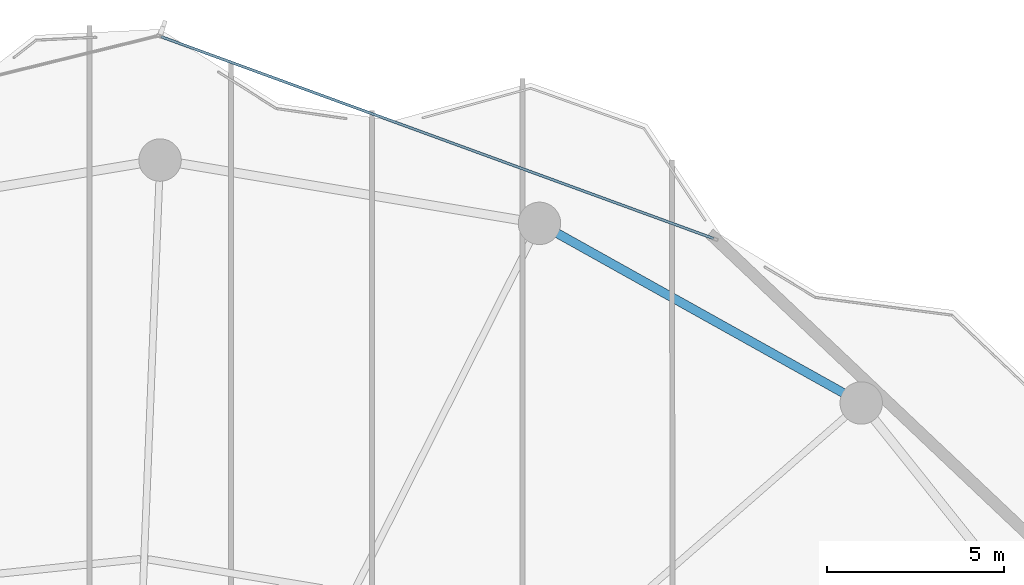
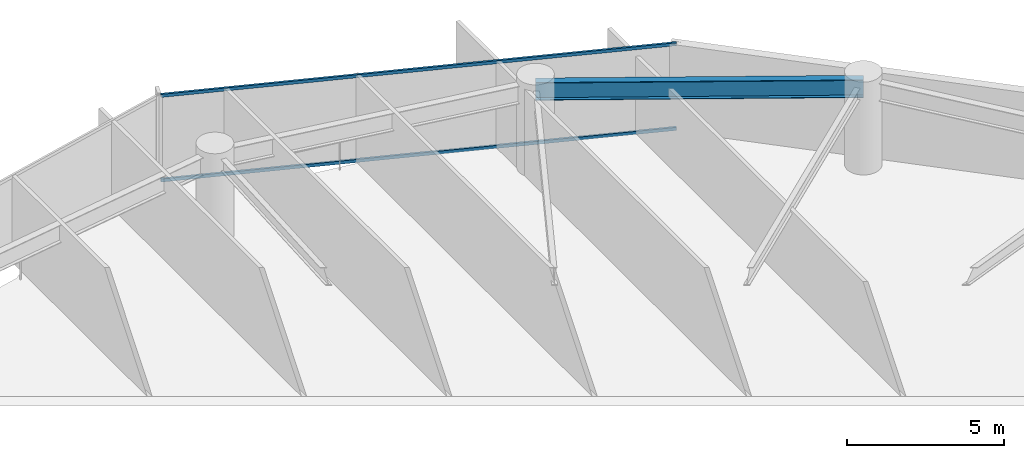
# One storey, part 20 of 28: 2 members, 1 beam, 1 element without a shape of its own.
"""IFC4 building model written with IfcOpenShell, lengths in metres."""

from ifc_helpers import new_model, si_unit, direction, frame, origin, origin_2d, place, context, subcontext, project, spatial, hollow_rectangle, i_section, extrude, material, layer, layer_set, material_profile, profile_set, type_object, element, aggregate, save


model = new_model("IFC4")

# Units and contexts
model_context = context("Model", 3, precision=1e-05, world=origin(), true_north=direction((0.0, 1.0)))
body_context = subcontext(model_context, "Body", "Model", "MODEL_VIEW")
ifc_project = project(units=[si_unit("LENGTHUNIT", "METRE"), si_unit("AREAUNIT", "SQUARE_METRE"), si_unit("VOLUMEUNIT", "CUBIC_METRE"), si_unit("PLANEANGLEUNIT", "RADIAN"), si_unit("MASSUNIT", "GRAM", prefix="KILO")], contexts=[model_context])

# Site, building, storey
site_placement = place(None, origin())
site = spatial("IfcSite", under=ifc_project, at=site_placement, CompositionType="ELEMENT")
building_placement = place(site_placement, origin())
building = spatial("IfcBuilding", under=site, at=building_placement, Name="Kazevale Care Tower and Concert Hall", CompositionType="ELEMENT")
storey_placement = place(building_placement, frame((0.0, 0.0, 142.199951171875)))
storey = spatial("IfcBuildingStorey", under=building, at=storey_placement, Name="L37", CompositionType="ELEMENT", Elevation=142.199951171875)

# Curtain wall, members
ifc_material_1 = material(Name="Aluminium 6063-T6 and Low-E Glass", Category="aluminium")
ifc_layer = layer(ifc_material_1, 0.179931640625)
ifc_layer_set = layer_set([ifc_layer], Name="Aluminium 6063-T6 and Low-E Glass")
curtain_wall_type = type_object("IfcCurtainWallType", Name="Convex Checkerboard Finned Curtain Wall CW-2", PredefinedType="NOTDEFINED", material=ifc_layer_set)
curtain_wall_placement = place(storey_placement, origin())
curtain_wall = element("IfcCurtainWall", 1, at=curtain_wall_placement, inside=storey, type_object=curtain_wall_type, Name="cw:L37:f16", PredefinedType="NOTDEFINED")
ifc_material_2 = material(Name="Aluminium 6063-T6", Category="aluminium")
ifc_material_profile_1 = material_profile(ifc_material_2, hollow_rectangle(XDim=0.074951171875, YDim=0.1201171875, WallThickness=0.00390625, at=origin_2d()), Name="ALU75x120x4")
ifc_profile_set_1 = profile_set([ifc_material_profile_1], Name="Aluminium 6063-T6")
member_type = type_object("IfcMemberType", Name="CW-2 Transom ALU75x120x4", PredefinedType="USERDEFINED", material=ifc_profile_set_1)
member_1_placement = place(storey_placement, frame((45.027099609375, 64.939453125, 0.03759765625), z_axis=(0.939285028824, -0.343137923622, 0.0), x_axis=(0.343137923622, 0.939285028824, 0.0)))
member_1 = element("IfcMember", 2, at=member_1_placement, type_object=member_type, Name="CW-2 transom 1.1", ObjectType="TRANSOM", PredefinedType="USERDEFINED", context=body_context, shape_type="SweptSolid", body=[
    extrude(hollow_rectangle(XDim=0.074951171875, YDim=0.1201171875, WallThickness=0.00390625, at=origin_2d()), origin(), (0.0, 0.0, 1.0), 16.634765625),
])
member_2_placement = place(storey_placement, frame((45.027099609375, 64.939453125, 3.322509765625), z_axis=(0.939285028824, -0.343137923622, 0.0), x_axis=(0.343137923622, 0.939285028824, 0.0)))
member_2 = element("IfcMember", 3, at=member_2_placement, type_object=member_type, Name="CW-2 transom 1.2", ObjectType="TRANSOM", PredefinedType="USERDEFINED", context=body_context, shape_type="SweptSolid", body=[
    extrude(hollow_rectangle(XDim=0.074951171875, YDim=0.1201171875, WallThickness=0.00390625, at=origin_2d()), origin(), (0.0, 0.0, 1.0), 16.634765625),
])
aggregate(curtain_wall, [member_1, member_2])

# Beam
ifc_material_3 = material(Name="Steel ASTM A572 Gr 50", Category="steel")
ifc_material_profile_2 = material_profile(ifc_material_3, i_section(OverallWidth=0.256103515625, OverallDepth=0.693115234375, WebThickness=0.014404296875, FlangeThickness=0.023681640625, at=origin_2d()), Name="W690x170")
ifc_profile_set_2 = profile_set([ifc_material_profile_2], Name="Steel ASTM A572 Gr 50")
beam_type = type_object("IfcBeamType", Name="Waist Ring Beam W690x170", PredefinedType="BEAM", material=ifc_profile_set_2)
beam_placement = place(storey_placement, frame((64.830078125, 54.580078125, 3.013427734375), z_axis=(-0.873168720251, 0.487418081297, 0.0), x_axis=(-0.487418081297, -0.873168720251, 0.0)))
element("IfcBeam", 4, at=beam_placement, inside=storey, type_object=beam_type, Name="beam:L37:ring:03", PredefinedType="BEAM", context=body_context, shape_type="SweptSolid", body=[
    extrude(i_section(OverallWidth=0.256103515625, OverallDepth=0.693115234375, WebThickness=0.014404296875, FlangeThickness=0.023681640625, at=origin_2d()), origin(), (0.0, 0.0, 1.0), 10.421875),
])

save(model, "model.ifc")
